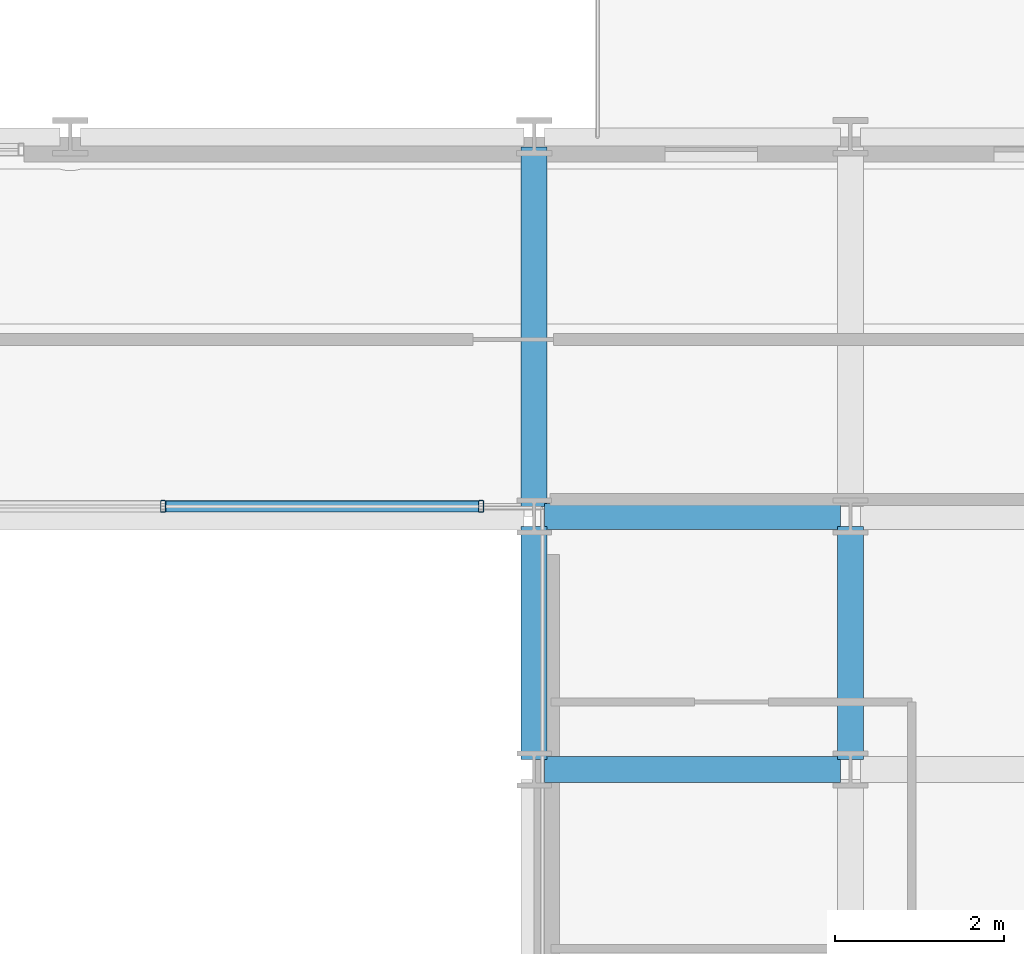
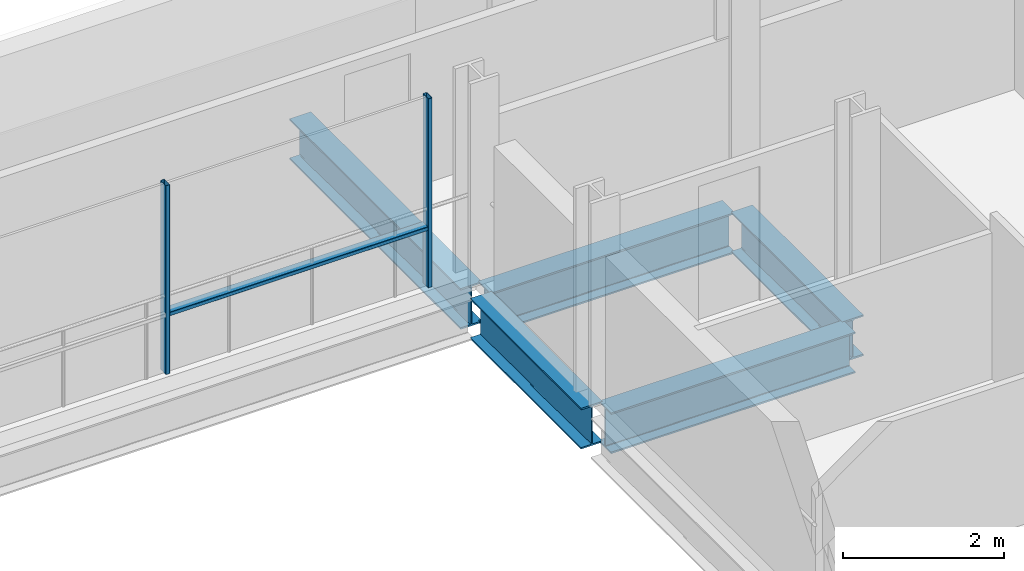
# One storey, part 17 of 41: 5 beams, 3 members, 1 element without a shape of its own.
"""IFC4 building model written with IfcOpenShell, lengths in metres."""

import ifcopenshell
import ifcopenshell.guid

model = None  # the IFC model being written
_history = None  # IfcOwnerHistory: only IFC2X3 demands one
_inside = {}  # id of a spatial element -> (the spatial element, [elements in it])
_under = {}  # id of a project, library or spatial element -> (it, [spatial elements below it])
_declared = {}  # id of a project -> (the project, [libraries it declares])
_typed = {}  # id of a type object -> (the type object, [elements of that type])
_made_of = {}  # id of a material, layer set ... -> (it, [elements and type objects made of it])


def new_model(schema):
    """Start an empty IFC model of exactly this schema.

    Asked for "IFC4X3", IfcOpenShell would pick the latest addendum, in which some entities
    have other attributes; the version numbers below select the first issue.
    IFC2X3 requires an IfcOwnerHistory on every rooted entity: one is made here for all.
    """
    global model, _history
    if schema == "IFC4X3":
        model = ifcopenshell.file(schema_version=(4, 3, 0, 0))
    else:
        model = ifcopenshell.file(schema=schema)
    _inside.clear()
    _under.clear()
    _declared.clear()
    _typed.clear()
    _made_of.clear()
    _history = None
    if model.schema == "IFC2X3":
        org = make("IfcOrganization", Name="unknown")
        user = make(
            "IfcPersonAndOrganization",
            ThePerson=make("IfcPerson", FamilyName="unknown"),
            TheOrganization=org,
        )
        app = make(
            "IfcApplication",
            ApplicationDeveloper=org,
            Version="unknown",
            ApplicationFullName="unknown",
            ApplicationIdentifier="unknown",
        )
        _history = make(
            "IfcOwnerHistory",
            OwningUser=user,
            OwningApplication=app,
            ChangeAction="ADDED",
            CreationDate=0,
        )
    return model


def make(cls, **values):
    """One entity of the class cls with the attributes given. An attribute that is None is left unset."""
    return model.create_entity(
        cls, **{name: value for name, value in values.items() if value is not None}
    )


def rooted(cls, **values):
    """An entity with a GlobalId (a new one), such as an element, a storey or a relation."""
    return make(cls, GlobalId=ifcopenshell.guid.new(), OwnerHistory=_history, **values)


def si_unit(unit_type, name, prefix=None):
    """IfcSIUnit, for example si_unit("LENGTHUNIT", "METRE", prefix="MILLI")."""
    return make("IfcSIUnit", UnitType=unit_type, Prefix=prefix, Name=name)


def assignment(units):
    """IfcUnitAssignment: the units of a project."""
    return None if units is None else make("IfcUnitAssignment", Units=units)


def point(xyz):
    """IfcCartesianPoint."""
    return None if xyz is None else make("IfcCartesianPoint", Coordinates=xyz)


def direction(xyz):
    """IfcDirection."""
    return None if xyz is None else make("IfcDirection", DirectionRatios=xyz)


def frame(location, z_axis=None, x_axis=None):
    """IfcAxis2Placement3D, a coordinate frame: its origin and axes. An axis left out is left unset."""
    return make(
        "IfcAxis2Placement3D",
        Location=point(location),
        Axis=direction(z_axis),
        RefDirection=direction(x_axis),
    )


def frame_2d(location, x_axis=None):
    """IfcAxis2Placement2D, a coordinate frame in the plane: its origin and x axis."""
    return make(
        "IfcAxis2Placement2D", Location=point(location), RefDirection=direction(x_axis)
    )


def origin():
    """The frame at (0, 0, 0) with its axes left unset."""
    return frame((0.0, 0.0, 0.0))


def origin_2d():
    """The frame at (0, 0) in the plane with its x axis left unset."""
    return frame_2d((0.0, 0.0))


def place(relative_to, where):
    """IfcLocalPlacement: puts the frame where relative to a parent placement (None: the world)."""
    return make(
        "IfcLocalPlacement", PlacementRelTo=relative_to, RelativePlacement=where
    )


def context(
    kind, dimensions, precision=None, world=None, true_north=None, identifier=None
):
    """IfcGeometricRepresentationContext, for example the 3D "Model" context."""
    return make(
        "IfcGeometricRepresentationContext",
        ContextIdentifier=identifier,
        ContextType=kind,
        CoordinateSpaceDimension=dimensions,
        Precision=precision,
        WorldCoordinateSystem=world,
        TrueNorth=true_north,
    )


def subcontext(parent, identifier, kind, view, scale=None):
    """IfcGeometricRepresentationSubContext, for example "Body" below "Model"."""
    return make(
        "IfcGeometricRepresentationSubContext",
        ContextIdentifier=identifier,
        ContextType=kind,
        ParentContext=parent,
        TargetScale=scale,
        TargetView=view,
    )


def project(units=None, contexts=None):
    """IfcProject with its units and contexts."""
    return rooted(
        "IfcProject",
        Name="project",
        RepresentationContexts=contexts,
        UnitsInContext=assignment(units),
    )


def spatial(cls, under=None, at=None, **own):
    """A site, building, storey or space (cls), placed at a placement, below another one or the project."""
    s = rooted(cls, ObjectPlacement=at, **own)
    if under is not None:
        _under.setdefault(under.id(), (under, []))[1].append(s)
    return s


def profile(cls, at=None, kind="AREA", **sizes):
    """A parametric profile (cls). Its sizes go by their IFC names, for example OverallWidth=200.0."""
    return make(cls, ProfileType=kind, Position=at, **sizes)


def hollow_rectangle(**sizes):
    """IfcRectangleHollowProfileDef."""
    return profile("IfcRectangleHollowProfileDef", **sizes)


def i_section(**sizes):
    """IfcIShapeProfileDef."""
    return profile("IfcIShapeProfileDef", **sizes)


def extrude(swept, where, along, depth):
    """IfcExtrudedAreaSolid: the profile swept, set in the frame where, extruded along a direction by depth."""
    return make(
        "IfcExtrudedAreaSolid",
        SweptArea=swept,
        Position=where,
        ExtrudedDirection=direction(along),
        Depth=depth,
    )


def shape(context_of_items, identifier, shape_type, items):
    """IfcShapeRepresentation: the items that make up one representation, for example the "Body"."""
    return make(
        "IfcShapeRepresentation",
        ContextOfItems=context_of_items,
        RepresentationIdentifier=identifier,
        RepresentationType=shape_type,
        Items=items,
    )


def material(Name=None, Category=None):
    """IfcMaterial."""
    return make("IfcMaterial", Name=Name, Category=Category)


def layer(
    of_material, thickness, ventilated=None, Name=None, Category=None, Priority=None
):
    """IfcMaterialLayer: one layer of a wall or slab, of a material (None: an air gap)."""
    return make(
        "IfcMaterialLayer",
        Material=of_material,
        LayerThickness=thickness,
        IsVentilated=ventilated,
        Name=Name,
        Category=Category,
        Priority=Priority,
    )


def layer_set(layers, Name=None):
    """IfcMaterialLayerSet."""
    return make("IfcMaterialLayerSet", MaterialLayers=layers, LayerSetName=Name)


def material_profile(
    of_material, cross_section, Name=None, Category=None, Priority=None
):
    """IfcMaterialProfile: a cross section and its material."""
    return make(
        "IfcMaterialProfile",
        Name=Name,
        Material=of_material,
        Profile=cross_section,
        Priority=Priority,
        Category=Category,
    )


def profile_set(profiles, Name=None, composite=None):
    """IfcMaterialProfileSet."""
    return make(
        "IfcMaterialProfileSet",
        Name=Name,
        MaterialProfiles=profiles,
        CompositeProfile=composite,
    )


def made_of(thing, what):
    """Note that an element or type object is made of a material, layer set ...; save() writes the relation."""
    if what is not None:
        _made_of.setdefault(what.id(), (what, []))[1].append(thing)
    return thing


def type_object(cls, material=None, **own):
    """A type object (cls), such as IfcWallType, which elements share."""
    return made_of(rooted(cls, **own), material)


def element(
    cls,
    number,
    at=None,
    inside=None,
    cuts=None,
    type_object=None,
    material=None,
    context=None,
    identifier="Body",
    shape_type=None,
    held_by="IfcProductDefinitionShape",
    body=None,
    shapes=None,
    **own,
):
    """One element of the class cls, such as IfcWall. Its Tag is "e" and its number.

    at: its placement. inside: the storey or other place that contains it. cuts: it is an
    opening in that element (IfcRelVoidsElement). A single representation is given by context,
    identifier, shape_type and body (its items); several are given by shapes. held_by: the class
    of the entity that holds the representations. save() writes the other relations.
    """
    e = rooted(cls, Tag="e%d" % number, ObjectPlacement=at, **own)
    if body is not None:
        shapes = [shape(context, identifier, shape_type, body)]
    if shapes is not None:
        e.Representation = make(held_by, Representations=shapes)
    if inside is not None:
        _inside.setdefault(inside.id(), (inside, []))[1].append(e)
    if cuts is not None:
        rooted(
            "IfcRelVoidsElement", RelatingBuildingElement=cuts, RelatedOpeningElement=e
        )
    if type_object is not None:
        _typed.setdefault(type_object.id(), (type_object, []))[1].append(e)
    return made_of(e, material)


def aggregate(whole, parts):
    """IfcRelAggregates: a whole, such as a stair, and the parts it consists of."""
    return rooted("IfcRelAggregates", RelatingObject=whole, RelatedObjects=parts)


def save(model, path):
    """Write the relations noted so far, then the file.

    IfcRelAggregates (storeys below a building ...), IfcRelContainedInSpatialStructure (elements
    in a storey), IfcRelDefinesByType, IfcRelAssociatesMaterial and IfcRelDeclares: one each for
    every whole, place, type object, material and project.
    """
    for whole, parts in _under.values():
        aggregate(whole, parts)
    for where, things in _inside.values():
        rooted(
            "IfcRelContainedInSpatialStructure",
            RelatedElements=things,
            RelatingStructure=where,
        )
    for kind, things in _typed.values():
        rooted("IfcRelDefinesByType", RelatedObjects=things, RelatingType=kind)
    for what, things in _made_of.values():
        rooted("IfcRelAssociatesMaterial", RelatedObjects=things, RelatingMaterial=what)
    for by, libraries in _declared.values():
        rooted("IfcRelDeclares", RelatingContext=by, RelatedDefinitions=libraries)
    model.write(path)


model = new_model("IFC4")

# Units and contexts
model_context = context("Model", 3, precision=1e-05, world=origin(), true_north=direction((0.0, 1.0)))
body_context = subcontext(model_context, "Body", "Model", "MODEL_VIEW")
ifc_project = project(units=[si_unit("LENGTHUNIT", "METRE"), si_unit("AREAUNIT", "SQUARE_METRE"), si_unit("VOLUMEUNIT", "CUBIC_METRE"), si_unit("PLANEANGLEUNIT", "RADIAN"), si_unit("MASSUNIT", "GRAM", prefix="KILO")], contexts=[model_context])

# Site, building, storey
site_placement = place(None, origin())
site = spatial("IfcSite", under=ifc_project, at=site_placement, CompositionType="ELEMENT")
building_placement = place(site_placement, origin())
building = spatial("IfcBuilding", under=site, at=building_placement, Name="Brevholm Reach", CompositionType="ELEMENT")
storey_placement = place(building_placement, frame((0.0, 0.0, 74.5)))
storey = spatial("IfcBuildingStorey", under=building, at=storey_placement, Name="L21", CompositionType="ELEMENT", Elevation=74.5)

# Beams
ifc_material_1 = material(Name="Structural Steel S355J2", Category="steel")
ifc_material_profile_1 = material_profile(ifc_material_1, i_section(OverallWidth=0.30712890625, OverallDepth=0.6201171875, WebThickness=0.01416015625, FlangeThickness=0.023681640625, FilletRadius=0.0166015625, at=origin_2d()), Name="UKB 610x305x179")
ifc_profile_set_1 = profile_set([ifc_material_profile_1], Name="Structural Steel S355J2")
beam_type = type_object("IfcBeamType", Name="BM-UKB610H", PredefinedType="USERDEFINED", material=ifc_profile_set_1)
for number, where, z_axis, x_axis, name in (
    (1, (38.3701171875, 23.5, -0.5400390625), (1.0, 0.0, 0.0), (0.0, 1.0, 0.0), "L21 G-06 Framing Beam"),
    (2, (38.3701171875, 26.5, -0.5400390625), (1.0, 0.0, 0.0), (0.0, 1.0, 0.0), "L21 G-06 Framing Beam"),
):
    element("IfcBeam", number, at=place(storey_placement, frame(where, z_axis=z_axis, x_axis=x_axis)), inside=storey, type_object=beam_type, Name=name, ObjectType="GIRDER", PredefinedType="USERDEFINED", context=body_context, shape_type="SweptSolid", body=[
        extrude(i_section(OverallWidth=0.30712890625, OverallDepth=0.6201171875, WebThickness=0.01416015625, FlangeThickness=0.023681640625, FilletRadius=0.0166015625, at=origin_2d()), origin(), (0.0, 0.0, 1.0), 3.509765625),
    ])
beam_1_placement = place(storey_placement, frame((38.25, 23.6201171875, -0.5400390625), z_axis=(0.0, 1.0, 0.0), x_axis=(-1.0, 0.0, 0.0)))
element("IfcBeam", 3, at=beam_1_placement, inside=storey, type_object=beam_type, Name="L21 G-06 Framing Beam", ObjectType="GIRDER", PredefinedType="USERDEFINED", context=body_context, shape_type="SweptSolid", body=[
    extrude(i_section(OverallWidth=0.30712890625, OverallDepth=0.6201171875, WebThickness=0.01416015625, FlangeThickness=0.023681640625, FilletRadius=0.0166015625, at=origin_2d()), origin(), (0.0, 0.0, 1.0), 2.759765625),
])
beam_2_placement = place(storey_placement, frame((38.25, 26.6201171875, -0.5400390625), z_axis=(0.0, 1.0, 0.0), x_axis=(-1.0, 0.0, 0.0)))
element("IfcBeam", 4, at=beam_2_placement, inside=storey, type_object=beam_type, Name="L21 G-06 Framing Beam", ObjectType="GIRDER", PredefinedType="USERDEFINED", context=body_context, shape_type="SweptSolid", body=[
    extrude(i_section(OverallWidth=0.30712890625, OverallDepth=0.6201171875, WebThickness=0.01416015625, FlangeThickness=0.023681640625, FilletRadius=0.0166015625, at=origin_2d()), origin(), (0.0, 0.0, 1.0), 4.259765625),
])
beam_3_placement = place(storey_placement, frame((42.0, 23.6201171875, -0.5400390625), z_axis=(0.0, 1.0, 0.0), x_axis=(-1.0, 0.0, 0.0)))
element("IfcBeam", 5, at=beam_3_placement, inside=storey, type_object=beam_type, Name="L21 G-06 Framing Beam", ObjectType="GIRDER", PredefinedType="USERDEFINED", context=body_context, shape_type="SweptSolid", body=[
    extrude(i_section(OverallWidth=0.30712890625, OverallDepth=0.6201171875, WebThickness=0.01416015625, FlangeThickness=0.023681640625, FilletRadius=0.0166015625, at=origin_2d()), origin(), (0.0, 0.0, 1.0), 2.759765625),
])

# Curtain wall, members
ifc_material_2 = material(Name="Dark Anodised Aluminium 6063-T6 and Solar-Control Glass", Category="aluminium")
ifc_layer = layer(ifc_material_2, 0.139892578125)
ifc_layer_set = layer_set([ifc_layer], Name="Dark Anodised Aluminium 6063-T6 and Solar-Control Glass")
curtain_wall_type = type_object("IfcCurtainWallType", Name="CW-02", PredefinedType="NOTDEFINED", material=ifc_layer_set)
curtain_wall_placement = place(storey_placement, origin())
curtain_wall = element("IfcCurtainWall", 6, at=curtain_wall_placement, inside=storey, type_object=curtain_wall_type, Name="L21 Curtain Wall CW-02", PredefinedType="NOTDEFINED")
ifc_material_3 = material(Name="Dark Anodised Aluminium 6063-T6", Category="aluminium")
ifc_material_profile_2 = material_profile(ifc_material_3, hollow_rectangle(XDim=0.06005859375, YDim=0.139892578125, WallThickness=0.0048828125, InnerFilletRadius=0.0048828125, OuterFilletRadius=0.010009765625, at=origin_2d()), Name="RHS 140x60x5")
ifc_profile_set_2 = profile_set([ifc_material_profile_2], Name="Dark Anodised Aluminium 6063-T6")
member_type_1 = type_object("IfcMemberType", Name="CWM-140", PredefinedType="MULLION", material=ifc_profile_set_2)
member_1_placement = place(storey_placement, frame((37.6201171875, 26.6201171875, 0.0), z_axis=(0.0, 0.0, 1.0), x_axis=(-1.0, 0.0, 0.0)))
member_1 = element("IfcMember", 7, at=member_1_placement, type_object=member_type_1, Name="CM-140 Mullion 1", PredefinedType="MULLION", context=body_context, shape_type="SweptSolid", body=[
    extrude(hollow_rectangle(XDim=0.06005859375, YDim=0.139892578125, WallThickness=0.0048828125, InnerFilletRadius=0.0048828125, OuterFilletRadius=0.010009765625, at=origin_2d()), origin(), (0.0, 0.0, 1.0), 2.8701171875),
])
member_2_placement = place(storey_placement, frame((33.85009765625, 26.6201171875, 0.0), z_axis=(0.0, 0.0, 1.0), x_axis=(-1.0, 0.0, 0.0)))
member_2 = element("IfcMember", 8, at=member_2_placement, type_object=member_type_1, Name="CM-140 Mullion 2", PredefinedType="MULLION", context=body_context, shape_type="SweptSolid", body=[
    extrude(hollow_rectangle(XDim=0.06005859375, YDim=0.139892578125, WallThickness=0.0048828125, InnerFilletRadius=0.0048828125, OuterFilletRadius=0.010009765625, at=origin_2d()), origin(), (0.0, 0.0, 1.0), 2.8701171875),
])
ifc_material_4 = material(Name="Dark Anodised Aluminium 6063-T6", Category="aluminium")
ifc_material_profile_3 = material_profile(ifc_material_4, hollow_rectangle(XDim=0.06005859375, YDim=0.139892578125, WallThickness=0.0048828125, InnerFilletRadius=0.0048828125, OuterFilletRadius=0.010009765625, at=origin_2d()), Name="RHS 140x60x5")
ifc_profile_set_3 = profile_set([ifc_material_profile_3], Name="Dark Anodised Aluminium 6063-T6")
member_type_2 = type_object("IfcMemberType", Name="CWT-140", PredefinedType="NOTDEFINED", material=ifc_profile_set_3)
member_3_placement = place(storey_placement, frame((37.590087890625, 26.6201171875, 0.89990234375), z_axis=(-1.0, 0.0, 0.0), x_axis=(0.0, 0.0, 1.0)))
member_3 = element("IfcMember", 9, at=member_3_placement, type_object=member_type_2, Name="CT-140 Transom 1.1", ObjectType="TRANSOM", PredefinedType="USERDEFINED", context=body_context, shape_type="SweptSolid", body=[
    extrude(hollow_rectangle(XDim=0.06005859375, YDim=0.139892578125, WallThickness=0.0048828125, InnerFilletRadius=0.0048828125, OuterFilletRadius=0.010009765625, at=origin_2d()), origin(), (0.0, 0.0, 1.0), 3.710205078125),
])
aggregate(curtain_wall, [member_1, member_2, member_3])

save(model, "model.ifc")
